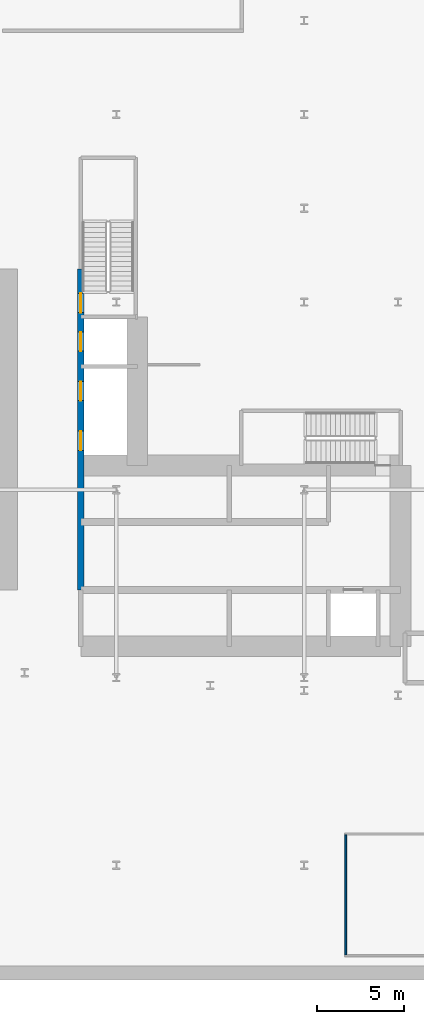
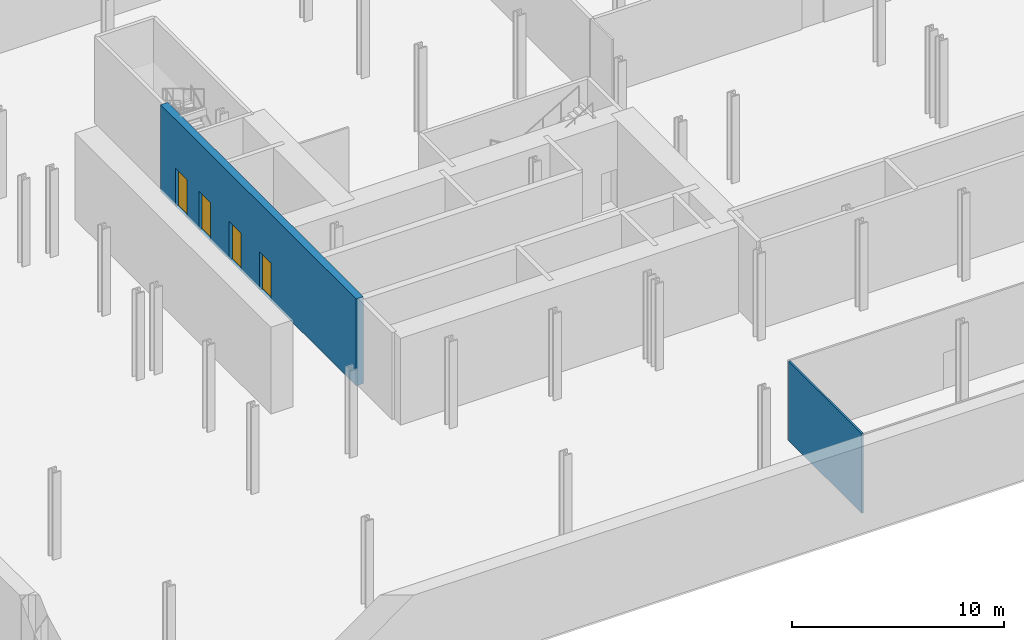
# One storey, part 6 of 19: 4 doors, 2 walls, 4 openings.
"""IFC4 building model written with IfcOpenShell, lengths in metres."""

from ifc_helpers import new_model, si_unit, direction, frame, frame_2d, origin, place, context, subcontext, project, spatial, rectangle, extrude, source, transform, mapped, material, layer, layer_set, type_object, element, fill, save


model = new_model("IFC4")

# Units and contexts
model_context = context("Model", 3, precision=1e-05, world=origin(), true_north=direction((0.0, 1.0)))
body_context = subcontext(model_context, "Body", "Model", "MODEL_VIEW")
ifc_project = project(units=[si_unit("LENGTHUNIT", "METRE"), si_unit("AREAUNIT", "SQUARE_METRE"), si_unit("VOLUMEUNIT", "CUBIC_METRE"), si_unit("PLANEANGLEUNIT", "RADIAN"), si_unit("MASSUNIT", "GRAM", prefix="KILO")], contexts=[model_context])

# Site, building, storey
site_placement = place(None, origin())
site = spatial("IfcSite", under=ifc_project, at=site_placement, CompositionType="ELEMENT")
building_placement = place(site_placement, origin())
building = spatial("IfcBuilding", under=site, at=building_placement, Name="Kheshtan School and Residences Tower", CompositionType="ELEMENT")
storey_placement = place(building_placement, frame((0.0, 0.0, -5.0)))
storey = spatial("IfcBuildingStorey", under=building, at=storey_placement, Name="B1", CompositionType="ELEMENT", Elevation=-5.0)

# Wall, openings, doors
ifc_material_1 = material(Name="Concrete C50/60", Category="concrete")
ifc_layer_1 = layer(ifc_material_1, 0.39990234375)
ifc_layer_set_1 = layer_set([ifc_layer_1], Name="Core wall 400 Concrete C50/60")
wall_type_1 = type_object("IfcWallType", Name="Core wall 400 Concrete C50/60", PredefinedType="SHEAR", material=ifc_layer_set_1)
wall_1_placement = place(storey_placement, frame((34.75, 29.050048828125, 0.0), z_axis=(0.0, 0.0, 1.0), x_axis=(0.0, 1.0, 0.0)))
wall_1 = element("IfcWall", 1, at=wall_1_placement, inside=storey, type_object=wall_type_1, Name="Core wall CW-HALL-W1", PredefinedType="SHEAR", context=body_context, shape_type="SweptSolid", body=[
    extrude(rectangle(XDim=18.449951171875, YDim=0.39990234375, at=frame_2d((9.22509765625, 0.0))), origin(), (0.0, 0.0, 1.0), 5.0),
])
opening_1_placement = place(wall_1_placement, frame((8.02490234375, 0.0, 0.0)))
opening_1 = element("IfcOpeningElement", 2, at=opening_1_placement, cuts=wall_1, Name="Opening LD", PredefinedType="OPENING", context=body_context, shape_type="SweptSolid", body=[
    extrude(rectangle(XDim=1.10009765625, YDim=2.199951171875, at=frame_2d((0.550048828125, 1.10009765625))), frame((0.0, 0.2099609375, 0.0), z_axis=(0.0, -1.0, 0.0), x_axis=(1.0, 0.0, 0.0)), (0.0, 0.0, 1.0), 0.419921875),
])
opening_2_placement = place(wall_1_placement, frame((10.875, 0.0, 0.0)))
opening_2 = element("IfcOpeningElement", 3, at=opening_2_placement, cuts=wall_1, Name="Opening LD", PredefinedType="OPENING", context=body_context, shape_type="SweptSolid", body=[
    extrude(rectangle(XDim=1.10009765625, YDim=2.199951171875, at=frame_2d((0.550048828125, 1.10009765625))), frame((0.0, 0.2099609375, 0.0), z_axis=(0.0, -1.0, 0.0), x_axis=(1.0, 0.0, 0.0)), (0.0, 0.0, 1.0), 0.419921875),
])
opening_3_placement = place(wall_1_placement, frame((13.72509765625, 0.0, 0.0)))
opening_3 = element("IfcOpeningElement", 4, at=opening_3_placement, cuts=wall_1, Name="Opening LD", PredefinedType="OPENING", context=body_context, shape_type="SweptSolid", body=[
    extrude(rectangle(XDim=1.10009765625, YDim=2.199951171875, at=frame_2d((0.550048828125, 1.10009765625))), frame((0.0, 0.2099609375, 0.0), z_axis=(0.0, -1.0, 0.0), x_axis=(1.0, 0.0, 0.0)), (0.0, 0.0, 1.0), 0.419921875),
])
opening_4_placement = place(wall_1_placement, frame((15.949951171875, 0.0, 0.0)))
opening_4 = element("IfcOpeningElement", 5, at=opening_4_placement, cuts=wall_1, Name="Opening ST2D", PredefinedType="OPENING", context=body_context, shape_type="SweptSolid", body=[
    extrude(rectangle(XDim=1.10009765625, YDim=2.199951171875, at=frame_2d((0.550048828125, 1.10009765625))), frame((0.0, 0.2099609375, 0.0), z_axis=(0.0, -1.0, 0.0), x_axis=(1.0, 0.0, 0.0)), (0.0, 0.0, 1.0), 0.419921875),
])
ifc_material_2 = material(Name="Stainless steel door leaves", Category="steel")
door_type_1 = type_object("IfcDoorType", Name="Lift landing door 1100", OperationType="SLIDING_TO_LEFT", PredefinedType="DOOR", material=ifc_material_2)
shared_shape_1 = source(origin(), body_context, "Body", "SweptSolid", [
    extrude(rectangle(XDim=1.10009765625, YDim=2.199951171875, at=frame_2d((0.550048828125, 1.10009765625))), frame((0.0, 0.02490234375, 0.0), z_axis=(0.0, -1.0, 0.0), x_axis=(1.0, 0.0, 0.0)), (0.0, 0.0, 1.0), 0.050048828125),
])
door_1_placement = place(opening_1_placement, origin())
door_1 = element("IfcDoor", 6, at=door_1_placement, inside=storey, type_object=door_type_1, Name="Lift SV1 landing door", OperationType="SLIDING_TO_LEFT", OverallHeight=2.199951171875, OverallWidth=1.10009765625, PredefinedType="DOOR", context=body_context, shape_type="MappedRepresentation", body=[
    mapped(shared_shape_1, transform((0.0, 0.0, 0.0), x_axis=(1.0, 0.0, 0.0), y_axis=(0.0, 1.0, 0.0), z_axis=(0.0, 0.0, 1.0), scale=1.0)),
])
fill(opening_1, door_1)
door_2_placement = place(opening_2_placement, origin())
door_2 = element("IfcDoor", 7, at=door_2_placement, inside=storey, type_object=door_type_1, Name="Lift SV2 landing door", OperationType="SLIDING_TO_LEFT", OverallHeight=2.199951171875, OverallWidth=1.10009765625, PredefinedType="DOOR", context=body_context, shape_type="MappedRepresentation", body=[
    mapped(shared_shape_1, transform((0.0, 0.0, 0.0), x_axis=(1.0, 0.0, 0.0), y_axis=(0.0, 1.0, 0.0), z_axis=(0.0, 0.0, 1.0), scale=1.0)),
])
fill(opening_2, door_2)
door_3_placement = place(opening_3_placement, origin())
door_3 = element("IfcDoor", 8, at=door_3_placement, inside=storey, type_object=door_type_1, Name="Lift FFL1 landing door", OperationType="SLIDING_TO_LEFT", OverallHeight=2.199951171875, OverallWidth=1.10009765625, PredefinedType="DOOR", context=body_context, shape_type="MappedRepresentation", body=[
    mapped(shared_shape_1, transform((0.0, 0.0, 0.0), x_axis=(1.0, 0.0, 0.0), y_axis=(0.0, 1.0, 0.0), z_axis=(0.0, 0.0, 1.0), scale=1.0)),
])
fill(opening_3, door_3)
ifc_material_3 = material(Name="Steel door leaf, galvanised", Category="steel")
door_type_2 = type_object("IfcDoorType", Name="Stair door 1100 steel 90 min", OperationType="SINGLE_SWING_LEFT", PredefinedType="DOOR", material=ifc_material_3)
shared_shape_2 = source(origin(), body_context, "Body", "SweptSolid", [
    extrude(rectangle(XDim=1.10009765625, YDim=2.199951171875, at=frame_2d((0.550048828125, 1.10009765625))), frame((0.0, 0.02490234375, 0.0), z_axis=(0.0, -1.0, 0.0), x_axis=(1.0, 0.0, 0.0)), (0.0, 0.0, 1.0), 0.050048828125),
])
door_4_placement = place(opening_4_placement, origin())
door_4 = element("IfcDoor", 9, at=door_4_placement, inside=storey, type_object=door_type_2, Name="Stair ST2 door", OperationType="SINGLE_SWING_RIGHT", OverallHeight=2.199951171875, OverallWidth=1.10009765625, PredefinedType="DOOR", context=body_context, shape_type="MappedRepresentation", body=[
    mapped(shared_shape_2, transform((0.0, 0.0, 0.0), x_axis=(1.0, 0.0, 0.0), y_axis=(0.0, 1.0, 0.0), z_axis=(0.0, 0.0, 1.0), scale=1.0)),
])
fill(opening_4, door_4)

# Wall
ifc_material_4 = material(Name="Gypsum board on steel studs", Category="steel")
ifc_layer_2 = layer(ifc_material_4, 0.10009765625)
ifc_layer_set_2 = layer_set([ifc_layer_2], Name="Gypsum partition 100")
wall_type_2 = type_object("IfcWallType", Name="Gypsum partition 100", PredefinedType="PARTITIONING", material=ifc_layer_set_2)
wall_2_placement = place(storey_placement, frame((50.0, 8.050048828125, 0.0), z_axis=(0.0, 0.0, 1.0), x_axis=(0.0, 1.0, 0.0)))
element("IfcWall", 10, at=wall_2_placement, inside=storey, type_object=wall_type_2, Name="Partition B1-016", PredefinedType="PARTITIONING", context=body_context, shape_type="SweptSolid", body=[
    extrude(rectangle(XDim=6.89990234375, YDim=0.10009765625, at=frame_2d((3.449951171875, 0.0))), origin(), (0.0, 0.0, 1.0), 4.580078125),
])

save(model, "model.ifc")
